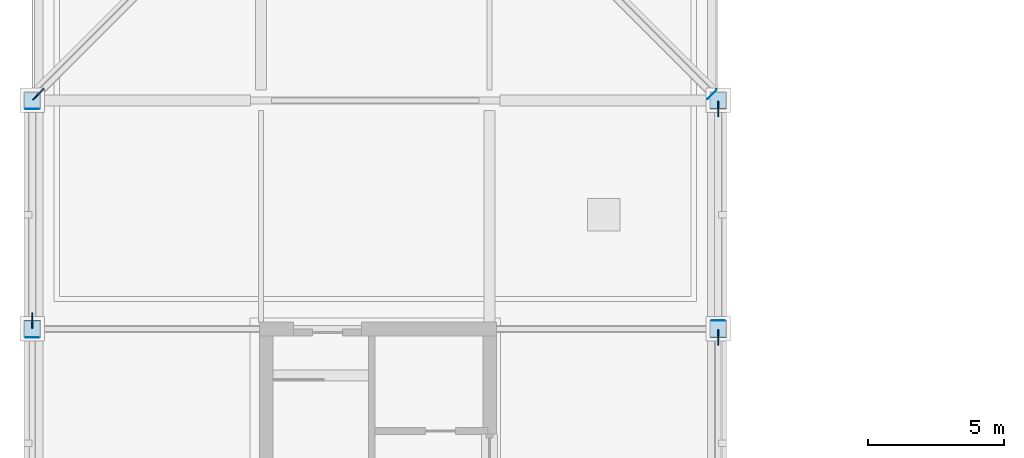
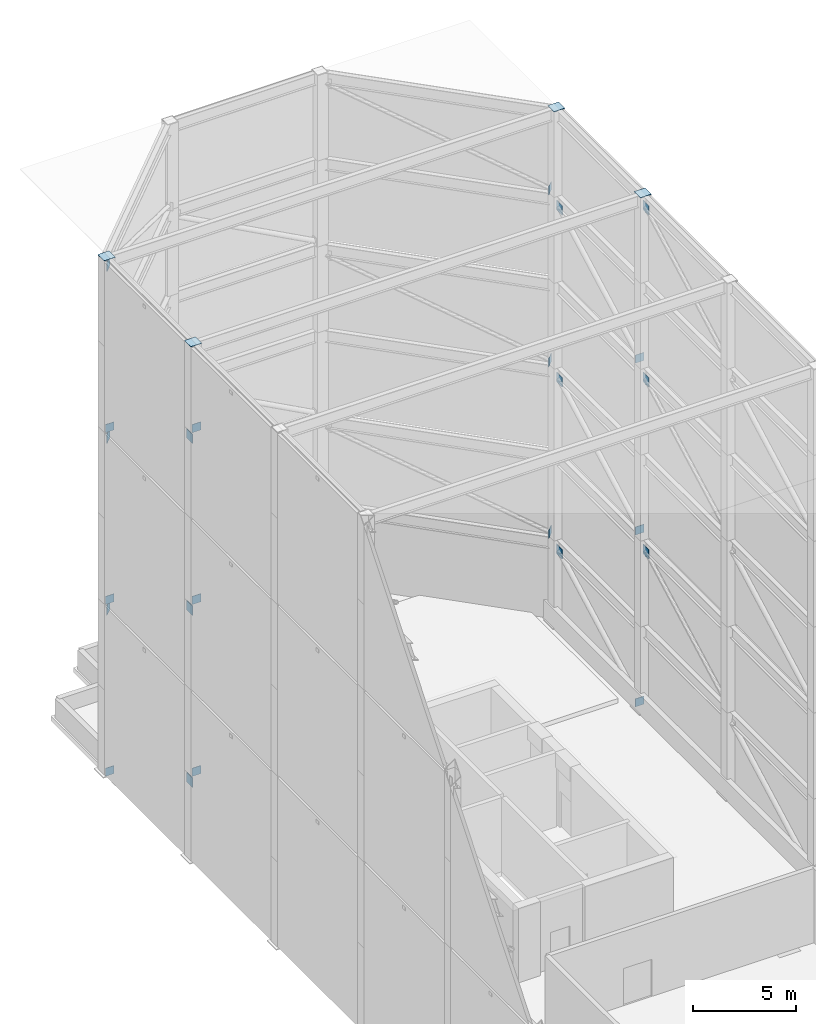
# One storey, part 13 of 17: 28 plates.
"""IFC4 building model written with IfcOpenShell, lengths in metres."""

from ifc_helpers import new_model, si_unit, direction, frame, origin, origin_2d, place, context, subcontext, project, spatial, rectangle, extrude, material, layer, layer_set, type_object, element, save


model = new_model("IFC4")

# Units and contexts
model_context = context("Model", 3, precision=1e-05, world=origin(), true_north=direction((0.0, 1.0)))
body_context = subcontext(model_context, "Body", "Model", "MODEL_VIEW")
ifc_project = project(units=[si_unit("LENGTHUNIT", "METRE"), si_unit("AREAUNIT", "SQUARE_METRE"), si_unit("VOLUMEUNIT", "CUBIC_METRE"), si_unit("PLANEANGLEUNIT", "RADIAN"), si_unit("MASSUNIT", "GRAM", prefix="KILO")], contexts=[model_context])

# Site, building, storey
site_placement = place(None, origin())
site = spatial("IfcSite", under=ifc_project, at=site_placement, CompositionType="ELEMENT")
building_placement = place(site_placement, origin())
building = spatial("IfcBuilding", under=site, at=building_placement, Name="Koriwani Terraces Tower", CompositionType="ELEMENT")
storey_placement = place(building_placement, frame((0.0, 0.0, 374.0)))
storey = spatial("IfcBuildingStorey", under=building, at=storey_placement, Name="RF", CompositionType="ELEMENT", Elevation=374.0)

# Plates
ifc_material = material(Name="Steel ASTM A572 Grade 50", Category="steel")
ifc_layer_1 = layer(ifc_material, 0.02490234375, Name="Steel ASTM A572 Grade 50")
ifc_layer_set_1 = layer_set([ifc_layer_1], Name="Steel ASTM A572 Grade 50")
plate_type_1 = type_object("IfcPlateType", Name="STEEL_CAP_PLATE_25", PredefinedType="USERDEFINED", material=ifc_layer_set_1)
for number, where, z_axis, x_axis, name in (
    (1, (33.60009765625, 58.800048828125, 30.51513671875), (0.0, 0.0, 1.0), (1.0, 0.0, 0.0), "Crown Frame Column Cap Plate EP-15"),
    (2, (33.60009765625, 67.199951171875, 30.51513671875), (0.0, 0.0, 1.0), (1.0, 0.0, 0.0), "Crown Frame Column Cap Plate EP-16"),
    (3, (8.39990234375, 67.199951171875, 30.51513671875), (0.0, 0.0, 1.0), (1.0, 0.0, 0.0), "Crown Frame Column Cap Plate EP-19"),
    (4, (8.39990234375, 58.800048828125, 30.51513671875), (0.0, 0.0, 1.0), (1.0, 0.0, 0.0), "Crown Frame Column Cap Plate EP-20"),
):
    element("IfcPlate", number, at=place(storey_placement, frame(where, z_axis=z_axis, x_axis=x_axis)), inside=storey, type_object=plate_type_1, Name=name, ObjectType="FLANGE_PLATE", PredefinedType="USERDEFINED", context=body_context, shape_type="SweptSolid", body=[
        extrude(rectangle(XDim=0.6201171875, YDim=0.6201171875, at=origin_2d()), origin(), (0.0, 0.0, 1.0), 0.02490234375),
    ])
for number, where, z_axis, x_axis, name in (
    (5, (33.60009765625, 59.115234375, -0.02099609375), (0.0, 0.0, 1.0), (0.0, 1.0, 0.0), "Brace End Cap Plate CFBR-T1-S14"),
    (6, (8.39990234375, 66.884765625, -0.02099609375), (0.0, 0.0, 1.0), (0.0, -1.0, 0.0), "Brace End Cap Plate CFBR-T1-S18"),
    (7, (33.37548828125, 67.424560546875, 5.06396484375), (0.0, 0.0, 1.0), (-0.707106781187, 0.707106781187, 0.0), "Brace End Cap Plate CFBR-T2-S15"),
    (8, (8.39990234375, 58.48486328125, 5.06884765625), (0.0, 0.0, 1.0), (0.0, -1.0, 0.0), "Brace End Cap Plate CFBR-T2-S19"),
    (9, (33.60009765625, 59.115234375, 10.158935546875), (0.0, 0.0, 1.0), (0.0, 1.0, 0.0), "Brace End Cap Plate CFBR-T3-S14"),
    (10, (8.39990234375, 66.884765625, 10.158935546875), (0.0, 0.0, 1.0), (0.0, -1.0, 0.0), "Brace End Cap Plate CFBR-T3-S18"),
    (11, (33.37548828125, 67.424560546875, 15.243896484375), (0.0, 0.0, 1.0), (-0.707106781187, 0.707106781187, 0.0), "Brace End Cap Plate CFBR-T4-S15"),
    (12, (8.39990234375, 58.48486328125, 15.2490234375), (0.0, 0.0, 1.0), (0.0, -1.0, 0.0), "Brace End Cap Plate CFBR-T4-S19"),
    (13, (33.60009765625, 59.115234375, 20.3388671875), (0.0, 0.0, 1.0), (0.0, 1.0, 0.0), "Brace End Cap Plate CFBR-T5-S14"),
    (14, (8.39990234375, 66.884765625, 20.3388671875), (0.0, 0.0, 1.0), (0.0, -1.0, 0.0), "Brace End Cap Plate CFBR-T5-S18"),
    (15, (33.37548828125, 67.424560546875, 25.424072265625), (0.0, 0.0, 1.0), (-0.707106781187, 0.707106781187, 0.0), "Brace End Cap Plate CFBR-T6-S15"),
    (16, (8.39990234375, 58.48486328125, 25.428955078125), (0.0, 0.0, 1.0), (0.0, -1.0, 0.0), "Brace End Cap Plate CFBR-T6-S19"),
):
    element("IfcPlate", number, at=place(storey_placement, frame(where, z_axis=z_axis, x_axis=x_axis)), inside=storey, type_object=plate_type_1, Name=name, ObjectType="FLANGE_PLATE", PredefinedType="USERDEFINED", context=body_context, shape_type="SweptSolid", body=[
        extrude(rectangle(XDim=0.02490234375, YDim=0.47998046875, at=origin_2d()), origin(), (0.0, 0.0, 1.0), 0.47998046875),
    ])
ifc_layer_2 = layer(ifc_material, 0.0400390625, Name="Steel ASTM A572 Grade 50")
ifc_layer_set_2 = layer_set([ifc_layer_2], Name="Steel ASTM A572 Grade 50")
plate_type_2 = type_object("IfcPlateType", Name="STEEL_GUSSET_PLATE_40", PredefinedType="USERDEFINED", material=ifc_layer_set_2)
for number, where, z_axis, x_axis, name in (
    (17, (33.60009765625, 66.884765625, 4.115966796875), (0.0, 0.0, 1.0), (0.0, 1.0, 0.0), "Brace Node Gusset Plate CFBR-T1-S14"),
    (18, (8.39990234375, 59.115234375, 4.115966796875), (0.0, 0.0, 1.0), (0.0, -1.0, 0.0), "Brace Node Gusset Plate CFBR-T1-S18"),
    (19, (33.60009765625, 58.48486328125, 9.2060546875), (0.0, 0.0, 1.0), (0.0, 1.0, 0.0), "Brace Node Gusset Plate CFBR-T2-S13"),
    (20, (8.62451171875, 67.424560546875, 9.2109375), (0.0, 0.0, 1.0), (-0.707106781187, -0.707106781187, 0.0), "Brace Node Gusset Plate CFBR-T2-S17"),
    (21, (33.60009765625, 66.884765625, 14.296142578125), (0.0, 0.0, 1.0), (0.0, 1.0, 0.0), "Brace Node Gusset Plate CFBR-T3-S14"),
    (22, (8.39990234375, 59.115234375, 14.296142578125), (0.0, 0.0, 1.0), (0.0, -1.0, 0.0), "Brace Node Gusset Plate CFBR-T3-S18"),
    (23, (33.60009765625, 58.48486328125, 19.38818359375), (0.0, 0.0, 1.0), (0.0, 1.0, 0.0), "Brace Node Gusset Plate CFBR-T4-S13"),
    (24, (8.62451171875, 67.424560546875, 19.39306640625), (0.0, 0.0, 1.0), (-0.707106781187, -0.707106781187, 0.0), "Brace Node Gusset Plate CFBR-T4-S17"),
    (25, (33.60009765625, 66.884765625, 24.47802734375), (0.0, 0.0, 1.0), (0.0, 1.0, 0.0), "Brace Node Gusset Plate CFBR-T5-S14"),
    (26, (8.39990234375, 59.115234375, 24.47802734375), (0.0, 0.0, 1.0), (0.0, -1.0, 0.0), "Brace Node Gusset Plate CFBR-T5-S18"),
    (27, (33.60009765625, 58.48486328125, 29.568115234375), (0.0, 0.0, 1.0), (0.0, 1.0, 0.0), "Brace Node Gusset Plate CFBR-T6-S13"),
    (28, (8.62451171875, 67.424560546875, 29.572998046875), (0.0, 0.0, 1.0), (-0.707106781187, -0.707106781187, 0.0), "Brace Node Gusset Plate CFBR-T6-S17"),
):
    element("IfcPlate", number, at=place(storey_placement, frame(where, z_axis=z_axis, x_axis=x_axis)), inside=storey, type_object=plate_type_2, Name=name, ObjectType="GUSSET_PLATE", PredefinedType="USERDEFINED", context=body_context, shape_type="SweptSolid", body=[
        extrude(rectangle(XDim=0.56005859375, YDim=0.0400390625, at=origin_2d()), origin(), (0.0, 0.0, 1.0), 0.56005859375),
    ])

save(model, "model.ifc")
